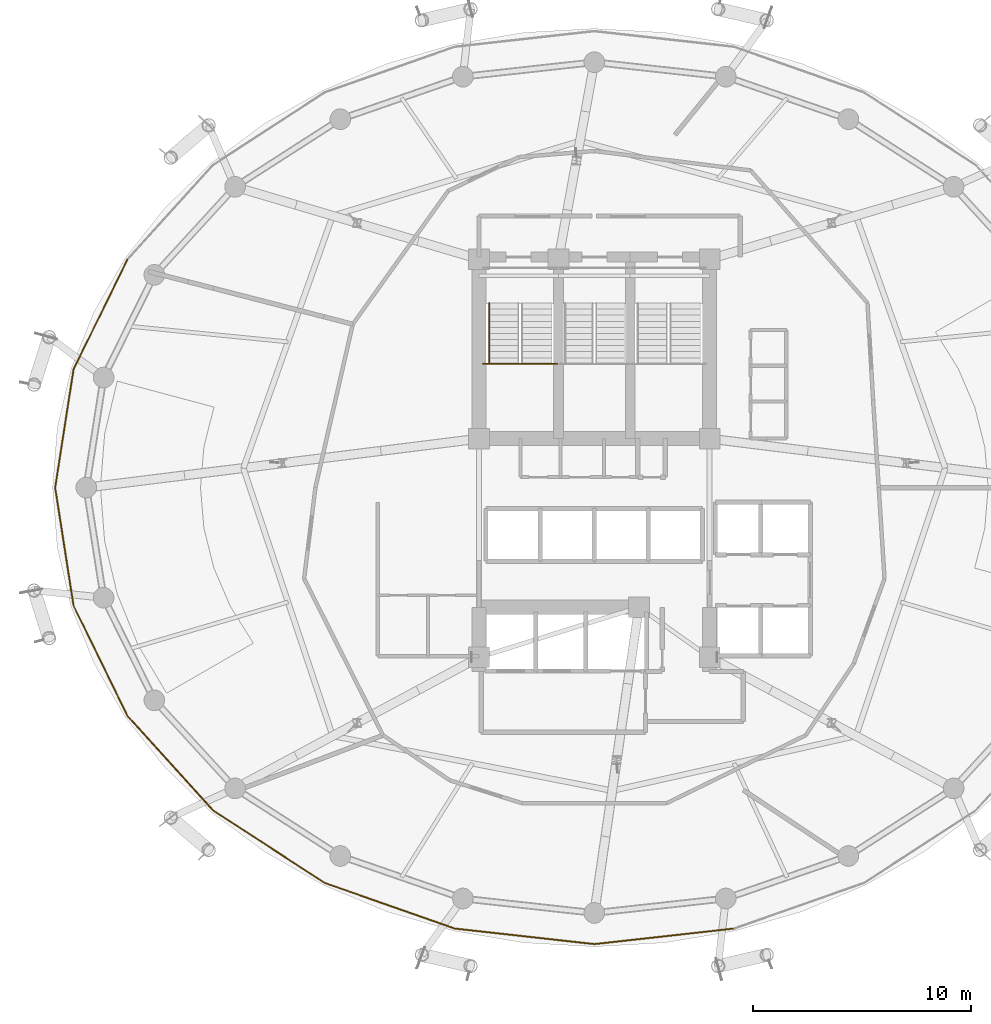
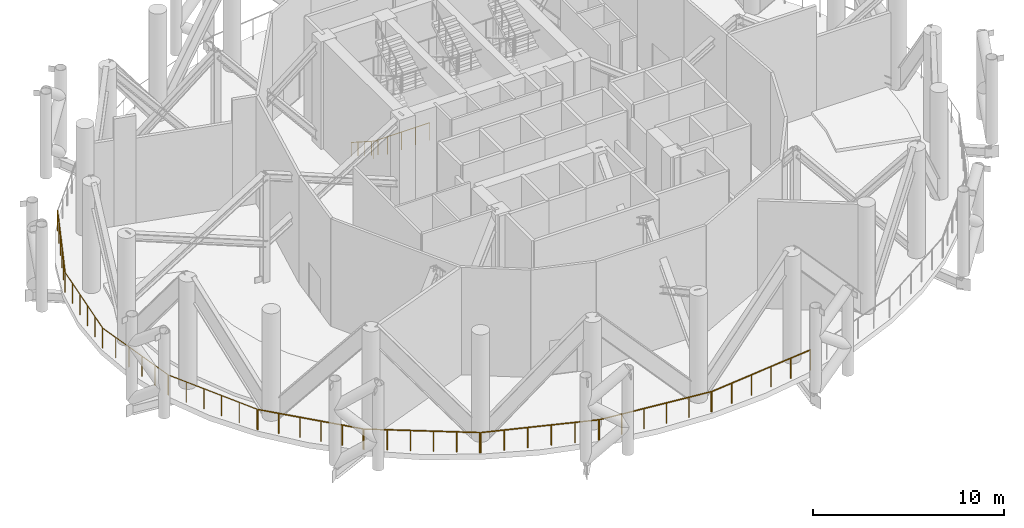
# One storey, part 14 of 18: 11 railings.
"""IFC4 building model written with IfcOpenShell, lengths in metres."""

from ifc_helpers import new_model, si_unit, direction, frame, origin, place, context, subcontext, project, spatial, polyline, outline, extrude, material, type_object, element, save


model = new_model("IFC4")

# Units and contexts
model_context = context("Model", 3, precision=1e-05, world=origin(), true_north=direction((0.0, 1.0)))
body_context = subcontext(model_context, "Body", "Model", "MODEL_VIEW")
ifc_project = project(units=[si_unit("LENGTHUNIT", "METRE"), si_unit("AREAUNIT", "SQUARE_METRE"), si_unit("VOLUMEUNIT", "CUBIC_METRE"), si_unit("PLANEANGLEUNIT", "RADIAN"), si_unit("MASSUNIT", "GRAM", prefix="KILO")], contexts=[model_context])

# Site, building, storey
site_placement = place(None, origin())
site = spatial("IfcSite", under=ifc_project, at=site_placement, CompositionType="ELEMENT")
building_placement = place(site_placement, origin())
building = spatial("IfcBuilding", under=site, at=building_placement, Name="Nuhasar Tower", CompositionType="ELEMENT")
storey_placement = place(building_placement, frame((0.0, 0.0, 195.949951171875)))
storey = spatial("IfcBuildingStorey", under=building, at=storey_placement, Name="L48", CompositionType="ELEMENT", Elevation=195.949951171875)

# Railings
ifc_material_1 = material(Name="Steel S355", Category="steel")
railing_type_1 = type_object("IfcRailingType", Name="RLG-STAIR-GUARD-1150", PredefinedType="GUARDRAIL", material=ifc_material_1)
railing_1_placement = place(storey_placement, frame((33.8798828125, 32.485107421875, 1.800048828125)))
element("IfcRailing", 1, at=railing_1_placement, inside=storey, type_object=railing_type_1, Name="L48 Stair ST-01 Guardrail LNDS1", PredefinedType="GUARDRAIL", context=body_context, shape_type="SweptSolid", body=[
    extrude(outline(polyline([(0.024169921875, 0.0), (0.01708984375, 0.01708984375), (0.0, 0.024169921875), (-0.01708984375, 0.01708984375), (-0.024169921875, 0.0), (-0.01708984375, -0.01708984375), (0.0, -0.024169921875), (0.01708984375, -0.01708984375), (0.024169921875, 0.0)])), frame((0.0, 0.0, 1.1259765625), z_axis=(1.0, 0.0, 0.0), x_axis=(0.0, 1.0, 0.0)), (0.0, 0.0, 1.0), 3.420166015625),
    extrude(outline(polyline([(0.02099609375, 0.0), (0.014892578125, 0.014892578125), (0.0, 0.02099609375), (-0.014892578125, 0.014892578125), (-0.02099609375, 0.0), (-0.014892578125, -0.014892578125), (0.0, -0.02099609375), (0.014892578125, -0.014892578125), (0.02099609375, 0.0)])), origin(), (0.0, 0.0, 1.0), 1.101806640625),
    extrude(outline(polyline([(0.02099609375, 0.0), (0.014892578125, 0.014892578125), (0.0, 0.02099609375), (-0.014892578125, 0.014892578125), (-0.02099609375, 0.0), (-0.014892578125, -0.014892578125), (0.0, -0.02099609375), (0.014892578125, -0.014892578125), (0.02099609375, 0.0)])), frame((0.85498046875, 0.0, 0.0)), (0.0, 0.0, 1.0), 1.101806640625),
    extrude(outline(polyline([(0.02099609375, 0.0), (0.014892578125, 0.014892578125), (0.0, 0.02099609375), (-0.014892578125, 0.014892578125), (-0.02099609375, 0.0), (-0.014892578125, -0.014892578125), (0.0, -0.02099609375), (0.014892578125, -0.014892578125), (0.02099609375, 0.0)])), frame((1.7099609375, 0.0, 0.0)), (0.0, 0.0, 1.0), 1.101806640625),
    extrude(outline(polyline([(0.02099609375, 0.0), (0.014892578125, 0.014892578125), (0.0, 0.02099609375), (-0.014892578125, 0.014892578125), (-0.02099609375, 0.0), (-0.014892578125, -0.014892578125), (0.0, -0.02099609375), (0.014892578125, -0.014892578125), (0.02099609375, 0.0)])), frame((2.565185546875, 0.0, 0.0)), (0.0, 0.0, 1.0), 1.101806640625),
    extrude(outline(polyline([(0.02099609375, 0.0), (0.014892578125, 0.014892578125), (0.0, 0.02099609375), (-0.014892578125, 0.014892578125), (-0.02099609375, 0.0), (-0.014892578125, -0.014892578125), (0.0, -0.02099609375), (0.014892578125, -0.014892578125), (0.02099609375, 0.0)])), frame((3.420166015625, 0.0, 0.0)), (0.0, 0.0, 1.0), 1.101806640625),
])
ifc_material_2 = material(Name="Stainless Steel 316L", Category="steel")
railing_type_2 = type_object("IfcRailingType", Name="RLG-STAIR-HAND-920", PredefinedType="HANDRAIL", material=ifc_material_2)
railing_2_placement = place(storey_placement, frame((34.169921875, 35.284912109375, 0.1640625)))
element("IfcRailing", 2, at=railing_2_placement, inside=storey, type_object=railing_type_2, Name="L48 Stair ST-01 Handrail HNDA1", PredefinedType="HANDRAIL", context=body_context, shape_type="SweptSolid", body=[
    extrude(outline(polyline([(0.024169921875, 0.0), (0.01708984375, 0.01708984375), (0.0, 0.024169921875), (-0.01708984375, 0.01708984375), (-0.024169921875, 0.0), (-0.01708984375, -0.01708984375), (0.0, -0.024169921875), (0.01708984375, -0.01708984375), (0.024169921875, 0.0)])), frame((0.0, 0.0, 0.89599609375), z_axis=(0.0, -0.841154643086, 0.54079466197), x_axis=(1.0, 0.0, 0.0)), (0.0, 0.0, 1.0), 3.32861328125),
    extrude(outline(polyline([(0.02099609375, 0.0), (0.014892578125, 0.014892578125), (0.0, 0.02099609375), (-0.014892578125, 0.014892578125), (-0.02099609375, 0.0), (-0.014892578125, -0.014892578125), (0.0, -0.02099609375), (0.014892578125, -0.014892578125), (0.02099609375, 0.0)])), origin(), (0.0, 0.0, 1.0), 0.871826171875),
    extrude(outline(polyline([(0.02099609375, 0.0), (0.014892578125, 0.014892578125), (0.0, 0.02099609375), (-0.014892578125, 0.014892578125), (-0.02099609375, 0.0), (-0.014892578125, -0.014892578125), (0.0, -0.02099609375), (0.014892578125, -0.014892578125), (0.02099609375, 0.0)])), frame((0.0, -0.699951171875, 0.449951171875)), (0.0, 0.0, 1.0), 0.871826171875),
    extrude(outline(polyline([(0.02099609375, 0.0), (0.014892578125, 0.014892578125), (0.0, 0.02099609375), (-0.014892578125, 0.014892578125), (-0.02099609375, 0.0), (-0.014892578125, -0.014892578125), (0.0, -0.02099609375), (0.014892578125, -0.014892578125), (0.02099609375, 0.0)])), frame((0.0, -1.39990234375, 0.89990234375)), (0.0, 0.0, 1.0), 0.871826171875),
    extrude(outline(polyline([(0.02099609375, 0.0), (0.014892578125, 0.014892578125), (0.0, 0.02099609375), (-0.014892578125, 0.014892578125), (-0.02099609375, 0.0), (-0.014892578125, -0.014892578125), (0.0, -0.02099609375), (0.014892578125, -0.014892578125), (0.02099609375, 0.0)])), frame((0.0, -2.099853515625, 1.35009765625)), (0.0, 0.0, 1.0), 0.871826171875),
    extrude(outline(polyline([(0.02099609375, 0.0), (0.014892578125, 0.014892578125), (0.0, 0.02099609375), (-0.014892578125, 0.014892578125), (-0.02099609375, 0.0), (-0.014892578125, -0.014892578125), (0.0, -0.02099609375), (0.014892578125, -0.014892578125), (0.02099609375, 0.0)])), frame((0.0, -2.7998046875, 1.800048828125)), (0.0, 0.0, 1.0), 0.871826171875),
])
railing_type_3 = type_object("IfcRailingType", Name="RLG-WIND-1320", PredefinedType="GUARDRAIL", material=ifc_material_2)
railing_3_placement = place(storey_placement, frame((17.5400390625, 37.2900390625, 0.0)))
element("IfcRailing", 3, at=railing_3_placement, inside=storey, type_object=railing_type_3, Name="L48 Open Wind Floor Perimeter Guardrail 11", PredefinedType="GUARDRAIL", context=body_context, shape_type="SweptSolid", body=[
    extrude(outline(polyline([(0.024169921875, 0.0), (0.01708984375, 0.01708984375), (0.0, 0.024169921875), (-0.01708984375, 0.01708984375), (-0.024169921875, 0.0), (-0.01708984375, -0.01708984375), (0.0, -0.024169921875), (0.01708984375, -0.01708984375), (0.024169921875, 0.0)])), frame((0.0, 0.0, 1.2958984375), z_axis=(-0.439479430431, -0.898252653894, 0.0), x_axis=(0.898252653894, -0.439479430431, 0.0)), (0.0, 0.0, 1.0), 5.593017578125),
    extrude(outline(polyline([(0.02099609375, 0.0), (0.014892578125, 0.014892578125), (0.0, 0.02099609375), (-0.014892578125, 0.014892578125), (-0.02099609375, 0.0), (-0.014892578125, -0.014892578125), (0.0, -0.02099609375), (0.014892578125, -0.014892578125), (0.02099609375, 0.0)])), origin(), (0.0, 0.0, 1.0), 1.27197265625),
    extrude(outline(polyline([(0.02099609375, 0.0), (0.014892578125, 0.014892578125), (0.0, 0.02099609375), (-0.014892578125, 0.014892578125), (-0.02099609375, 0.0), (-0.014892578125, -0.014892578125), (0.0, -0.02099609375), (0.014892578125, -0.014892578125), (0.02099609375, 0.0)])), frame((-0.49169921875, -1.0048828125, 0.0)), (0.0, 0.0, 1.0), 1.27197265625),
    extrude(outline(polyline([(0.02099609375, 0.0), (0.014892578125, 0.014892578125), (0.0, 0.02099609375), (-0.014892578125, 0.014892578125), (-0.02099609375, 0.0), (-0.014892578125, -0.014892578125), (0.0, -0.02099609375), (0.014892578125, -0.014892578125), (0.02099609375, 0.0)])), frame((-0.983154296875, -2.009521484375, 0.0)), (0.0, 0.0, 1.0), 1.27197265625),
    extrude(outline(polyline([(0.02099609375, 0.0), (0.014892578125, 0.014892578125), (0.0, 0.02099609375), (-0.014892578125, 0.014892578125), (-0.02099609375, 0.0), (-0.014892578125, -0.014892578125), (0.0, -0.02099609375), (0.014892578125, -0.014892578125), (0.02099609375, 0.0)])), frame((-1.474853515625, -3.014404296875, 0.0)), (0.0, 0.0, 1.0), 1.27197265625),
    extrude(outline(polyline([(0.02099609375, 0.0), (0.014892578125, 0.014892578125), (0.0, 0.02099609375), (-0.014892578125, 0.014892578125), (-0.02099609375, 0.0), (-0.014892578125, -0.014892578125), (0.0, -0.02099609375), (0.014892578125, -0.014892578125), (0.02099609375, 0.0)])), frame((-1.96630859375, -4.01904296875, 0.0)), (0.0, 0.0, 1.0), 1.27197265625),
    extrude(outline(polyline([(0.02099609375, 0.0), (0.014892578125, 0.014892578125), (0.0, 0.02099609375), (-0.014892578125, 0.014892578125), (-0.02099609375, 0.0), (-0.014892578125, -0.014892578125), (0.0, -0.02099609375), (0.014892578125, -0.014892578125), (0.02099609375, 0.0)])), frame((-2.4580078125, -5.02392578125, 0.0)), (0.0, 0.0, 1.0), 1.27197265625),
])
railing_4_placement = place(storey_placement, frame((15.06396484375, 32.22998046875, 0.0)))
element("IfcRailing", 4, at=railing_4_placement, inside=storey, type_object=railing_type_3, Name="L48 Open Wind Floor Perimeter Guardrail 12", PredefinedType="GUARDRAIL", context=body_context, shape_type="SweptSolid", body=[
    extrude(outline(polyline([(0.024169921875, 0.0), (0.01708984375, 0.01708984375), (0.0, 0.024169921875), (-0.01708984375, 0.01708984375), (-0.024169921875, 0.0), (-0.01708984375, -0.01708984375), (0.0, -0.024169921875), (0.01708984375, -0.01708984375), (0.024169921875, 0.0)])), frame((0.0, 0.0, 1.2958984375), z_axis=(-0.153610863454, -0.988131419716, 0.0), x_axis=(0.988131419716, -0.153610863454, 0.0)), (0.0, 0.0, 1.0), 5.45458984375),
    extrude(outline(polyline([(0.02099609375, 0.0), (0.014892578125, 0.014892578125), (0.0, 0.02099609375), (-0.014892578125, 0.014892578125), (-0.02099609375, 0.0), (-0.014892578125, -0.014892578125), (0.0, -0.02099609375), (0.014892578125, -0.014892578125), (0.02099609375, 0.0)])), origin(), (0.0, 0.0, 1.0), 1.27197265625),
    extrude(outline(polyline([(0.02099609375, 0.0), (0.014892578125, 0.014892578125), (0.0, 0.02099609375), (-0.014892578125, 0.014892578125), (-0.02099609375, 0.0), (-0.014892578125, -0.014892578125), (0.0, -0.02099609375), (0.014892578125, -0.014892578125), (0.02099609375, 0.0)])), frame((-0.16748046875, -1.077880859375, 0.0)), (0.0, 0.0, 1.0), 1.27197265625),
    extrude(outline(polyline([(0.02099609375, 0.0), (0.014892578125, 0.014892578125), (0.0, 0.02099609375), (-0.014892578125, 0.014892578125), (-0.02099609375, 0.0), (-0.014892578125, -0.014892578125), (0.0, -0.02099609375), (0.014892578125, -0.014892578125), (0.02099609375, 0.0)])), frame((-0.335205078125, -2.156005859375, 0.0)), (0.0, 0.0, 1.0), 1.27197265625),
    extrude(outline(polyline([(0.02099609375, 0.0), (0.014892578125, 0.014892578125), (0.0, 0.02099609375), (-0.014892578125, 0.014892578125), (-0.02099609375, 0.0), (-0.014892578125, -0.014892578125), (0.0, -0.02099609375), (0.014892578125, -0.014892578125), (0.02099609375, 0.0)])), frame((-0.502685546875, -3.23388671875, 0.0)), (0.0, 0.0, 1.0), 1.27197265625),
    extrude(outline(polyline([(0.02099609375, 0.0), (0.014892578125, 0.014892578125), (0.0, 0.02099609375), (-0.014892578125, 0.014892578125), (-0.02099609375, 0.0), (-0.014892578125, -0.014892578125), (0.0, -0.02099609375), (0.014892578125, -0.014892578125), (0.02099609375, 0.0)])), frame((-0.67041015625, -4.31201171875, 0.0)), (0.0, 0.0, 1.0), 1.27197265625),
    extrude(outline(polyline([(0.02099609375, 0.0), (0.014892578125, 0.014892578125), (0.0, 0.02099609375), (-0.014892578125, 0.014892578125), (-0.02099609375, 0.0), (-0.014892578125, -0.014892578125), (0.0, -0.02099609375), (0.014892578125, -0.014892578125), (0.02099609375, 0.0)])), frame((-0.837890625, -5.389892578125, 0.0)), (0.0, 0.0, 1.0), 1.27197265625),
])
railing_5_placement = place(storey_placement, frame((14.219970703125, 26.800048828125, 0.0)))
element("IfcRailing", 5, at=railing_5_placement, inside=storey, type_object=railing_type_3, Name="L48 Open Wind Floor Perimeter Guardrail 13", PredefinedType="GUARDRAIL", context=body_context, shape_type="SweptSolid", body=[
    extrude(outline(polyline([(0.024169921875, 0.0), (0.01708984375, 0.01708984375), (0.0, 0.024169921875), (-0.01708984375, 0.01708984375), (-0.024169921875, 0.0), (-0.01708984375, -0.01708984375), (0.0, -0.024169921875), (0.01708984375, -0.01708984375), (0.024169921875, 0.0)])), frame((0.0, 0.0, 1.2958984375), z_axis=(0.153647769961, -0.988125681675, 0.0), x_axis=(0.988125681675, 0.153647769961, 0.0)), (0.0, 0.0, 1.0), 5.454833984375),
    extrude(outline(polyline([(0.02099609375, 0.0), (0.014892578125, 0.014892578125), (0.0, 0.02099609375), (-0.014892578125, 0.014892578125), (-0.02099609375, 0.0), (-0.014892578125, -0.014892578125), (0.0, -0.02099609375), (0.014892578125, -0.014892578125), (0.02099609375, 0.0)])), origin(), (0.0, 0.0, 1.0), 1.27197265625),
    extrude(outline(polyline([(0.02099609375, 0.0), (0.014892578125, 0.014892578125), (0.0, 0.02099609375), (-0.014892578125, 0.014892578125), (-0.02099609375, 0.0), (-0.014892578125, -0.014892578125), (0.0, -0.02099609375), (0.014892578125, -0.014892578125), (0.02099609375, 0.0)])), frame((0.167724609375, -1.078125, 0.0)), (0.0, 0.0, 1.0), 1.27197265625),
    extrude(outline(polyline([(0.02099609375, 0.0), (0.014892578125, 0.014892578125), (0.0, 0.02099609375), (-0.014892578125, 0.014892578125), (-0.02099609375, 0.0), (-0.014892578125, -0.014892578125), (0.0, -0.02099609375), (0.014892578125, -0.014892578125), (0.02099609375, 0.0)])), frame((0.335205078125, -2.156005859375, 0.0)), (0.0, 0.0, 1.0), 1.27197265625),
    extrude(outline(polyline([(0.02099609375, 0.0), (0.014892578125, 0.014892578125), (0.0, 0.02099609375), (-0.014892578125, 0.014892578125), (-0.02099609375, 0.0), (-0.014892578125, -0.014892578125), (0.0, -0.02099609375), (0.014892578125, -0.014892578125), (0.02099609375, 0.0)])), frame((0.5029296875, -3.234130859375, 0.0)), (0.0, 0.0, 1.0), 1.27197265625),
    extrude(outline(polyline([(0.02099609375, 0.0), (0.014892578125, 0.014892578125), (0.0, 0.02099609375), (-0.014892578125, 0.014892578125), (-0.02099609375, 0.0), (-0.014892578125, -0.014892578125), (0.0, -0.02099609375), (0.014892578125, -0.014892578125), (0.02099609375, 0.0)])), frame((0.67041015625, -4.31201171875, 0.0)), (0.0, 0.0, 1.0), 1.27197265625),
    extrude(outline(polyline([(0.02099609375, 0.0), (0.014892578125, 0.014892578125), (0.0, 0.02099609375), (-0.014892578125, 0.014892578125), (-0.02099609375, 0.0), (-0.014892578125, -0.014892578125), (0.0, -0.02099609375), (0.014892578125, -0.014892578125), (0.02099609375, 0.0)])), frame((0.838134765625, -5.39013671875, 0.0)), (0.0, 0.0, 1.0), 1.27197265625),
])
railing_6_placement = place(storey_placement, frame((15.06396484375, 21.3701171875, 0.0)))
element("IfcRailing", 6, at=railing_6_placement, inside=storey, type_object=railing_type_3, Name="L48 Open Wind Floor Perimeter Guardrail 14", PredefinedType="GUARDRAIL", context=body_context, shape_type="SweptSolid", body=[
    extrude(outline(polyline([(0.024169921875, 0.0), (0.01708984375, 0.01708984375), (0.0, 0.024169921875), (-0.01708984375, 0.01708984375), (-0.024169921875, 0.0), (-0.01708984375, -0.01708984375), (0.0, -0.024169921875), (0.01708984375, -0.01708984375), (0.024169921875, 0.0)])), frame((0.0, 0.0, 1.2958984375), z_axis=(0.439462199156, -0.89826108427, 0.0), x_axis=(0.89826108427, 0.439462199156, 0.0)), (0.0, 0.0, 1.0), 5.59326171875),
    extrude(outline(polyline([(0.02099609375, 0.0), (0.014892578125, 0.014892578125), (0.0, 0.02099609375), (-0.014892578125, 0.014892578125), (-0.02099609375, 0.0), (-0.014892578125, -0.014892578125), (0.0, -0.02099609375), (0.014892578125, -0.014892578125), (0.02099609375, 0.0)])), origin(), (0.0, 0.0, 1.0), 1.27197265625),
    extrude(outline(polyline([(0.02099609375, 0.0), (0.014892578125, 0.014892578125), (0.0, 0.02099609375), (-0.014892578125, 0.014892578125), (-0.02099609375, 0.0), (-0.014892578125, -0.014892578125), (0.0, -0.02099609375), (0.014892578125, -0.014892578125), (0.02099609375, 0.0)])), frame((0.49169921875, -1.0048828125, 0.0)), (0.0, 0.0, 1.0), 1.27197265625),
    extrude(outline(polyline([(0.02099609375, 0.0), (0.014892578125, 0.014892578125), (0.0, 0.02099609375), (-0.014892578125, 0.014892578125), (-0.02099609375, 0.0), (-0.014892578125, -0.014892578125), (0.0, -0.02099609375), (0.014892578125, -0.014892578125), (0.02099609375, 0.0)])), frame((0.983154296875, -2.009765625, 0.0)), (0.0, 0.0, 1.0), 1.27197265625),
    extrude(outline(polyline([(0.02099609375, 0.0), (0.014892578125, 0.014892578125), (0.0, 0.02099609375), (-0.014892578125, 0.014892578125), (-0.02099609375, 0.0), (-0.014892578125, -0.014892578125), (0.0, -0.02099609375), (0.014892578125, -0.014892578125), (0.02099609375, 0.0)])), frame((1.474853515625, -3.014404296875, 0.0)), (0.0, 0.0, 1.0), 1.27197265625),
    extrude(outline(polyline([(0.02099609375, 0.0), (0.014892578125, 0.014892578125), (0.0, 0.02099609375), (-0.014892578125, 0.014892578125), (-0.02099609375, 0.0), (-0.014892578125, -0.014892578125), (0.0, -0.02099609375), (0.014892578125, -0.014892578125), (0.02099609375, 0.0)])), frame((1.96630859375, -4.019287109375, 0.0)), (0.0, 0.0, 1.0), 1.27197265625),
    extrude(outline(polyline([(0.02099609375, 0.0), (0.014892578125, 0.014892578125), (0.0, 0.02099609375), (-0.014892578125, 0.014892578125), (-0.02099609375, 0.0), (-0.014892578125, -0.014892578125), (0.0, -0.02099609375), (0.014892578125, -0.014892578125), (0.02099609375, 0.0)])), frame((2.4580078125, -5.024169921875, 0.0)), (0.0, 0.0, 1.0), 1.27197265625),
])
railing_7_placement = place(storey_placement, frame((17.5400390625, 16.31005859375, 0.0)))
element("IfcRailing", 7, at=railing_7_placement, inside=storey, type_object=railing_type_3, Name="L48 Open Wind Floor Perimeter Guardrail 15", PredefinedType="GUARDRAIL", context=body_context, shape_type="SweptSolid", body=[
    extrude(outline(polyline([(0.024169921875, 0.0), (0.01708984375, 0.01708984375), (0.0, 0.024169921875), (-0.01708984375, 0.01708984375), (-0.024169921875, 0.0), (-0.01708984375, -0.01708984375), (0.0, -0.024169921875), (0.01708984375, -0.01708984375), (0.024169921875, 0.0)])), frame((0.0, 0.0, 1.2958984375), z_axis=(0.671564021468, -0.740946533206, 0.0), x_axis=(0.740946533206, 0.671564021468, 0.0)), (0.0, 0.0, 1.0), 5.823486328125),
    extrude(outline(polyline([(0.02099609375, 0.0), (0.014892578125, 0.014892578125), (0.0, 0.02099609375), (-0.014892578125, 0.014892578125), (-0.02099609375, 0.0), (-0.014892578125, -0.014892578125), (0.0, -0.02099609375), (0.014892578125, -0.014892578125), (0.02099609375, 0.0)])), origin(), (0.0, 0.0, 1.0), 1.27197265625),
    extrude(outline(polyline([(0.02099609375, 0.0), (0.014892578125, 0.014892578125), (0.0, 0.02099609375), (-0.014892578125, 0.014892578125), (-0.02099609375, 0.0), (-0.014892578125, -0.014892578125), (0.0, -0.02099609375), (0.014892578125, -0.014892578125), (0.02099609375, 0.0)])), frame((0.7822265625, -0.863037109375, 0.0)), (0.0, 0.0, 1.0), 1.27197265625),
    extrude(outline(polyline([(0.02099609375, 0.0), (0.014892578125, 0.014892578125), (0.0, 0.02099609375), (-0.014892578125, 0.014892578125), (-0.02099609375, 0.0), (-0.014892578125, -0.014892578125), (0.0, -0.02099609375), (0.014892578125, -0.014892578125), (0.02099609375, 0.0)])), frame((1.564453125, -1.72607421875, 0.0)), (0.0, 0.0, 1.0), 1.27197265625),
    extrude(outline(polyline([(0.02099609375, 0.0), (0.014892578125, 0.014892578125), (0.0, 0.02099609375), (-0.014892578125, 0.014892578125), (-0.02099609375, 0.0), (-0.014892578125, -0.014892578125), (0.0, -0.02099609375), (0.014892578125, -0.014892578125), (0.02099609375, 0.0)])), frame((2.346435546875, -2.5888671875, 0.0)), (0.0, 0.0, 1.0), 1.27197265625),
    extrude(outline(polyline([(0.02099609375, 0.0), (0.014892578125, 0.014892578125), (0.0, 0.02099609375), (-0.014892578125, 0.014892578125), (-0.02099609375, 0.0), (-0.014892578125, -0.014892578125), (0.0, -0.02099609375), (0.014892578125, -0.014892578125), (0.02099609375, 0.0)])), frame((3.128662109375, -3.451904296875, 0.0)), (0.0, 0.0, 1.0), 1.27197265625),
    extrude(outline(polyline([(0.02099609375, 0.0), (0.014892578125, 0.014892578125), (0.0, 0.02099609375), (-0.014892578125, 0.014892578125), (-0.02099609375, 0.0), (-0.014892578125, -0.014892578125), (0.0, -0.02099609375), (0.014892578125, -0.014892578125), (0.02099609375, 0.0)])), frame((3.910888671875, -4.31494140625, 0.0)), (0.0, 0.0, 1.0), 1.27197265625),
])
railing_8_placement = place(storey_placement, frame((21.47802734375, 11.965087890625, 0.0)))
element("IfcRailing", 8, at=railing_8_placement, inside=storey, type_object=railing_type_3, Name="L48 Open Wind Floor Perimeter Guardrail 16", PredefinedType="GUARDRAIL", context=body_context, shape_type="SweptSolid", body=[
    extrude(outline(polyline([(0.024169921875, 0.0), (0.01708984375, 0.01708984375), (0.0, 0.024169921875), (-0.01708984375, 0.01708984375), (-0.024169921875, 0.0), (-0.01708984375, -0.01708984375), (0.0, -0.024169921875), (0.01708984375, -0.01708984375), (0.024169921875, 0.0)])), frame((0.0, 0.0, 1.2958984375), z_axis=(0.83856562581, -0.54480059766, 0.0), x_axis=(0.54480059766, 0.83856562581, 0.0)), (0.0, 0.0, 1.0), 6.079345703125),
    extrude(outline(polyline([(0.02099609375, 0.0), (0.014892578125, 0.014892578125), (0.0, 0.02099609375), (-0.014892578125, 0.014892578125), (-0.02099609375, 0.0), (-0.014892578125, -0.014892578125), (0.0, -0.02099609375), (0.014892578125, -0.014892578125), (0.02099609375, 0.0)])), origin(), (0.0, 0.0, 1.0), 1.27197265625),
    extrude(outline(polyline([(0.02099609375, 0.0), (0.014892578125, 0.014892578125), (0.0, 0.02099609375), (-0.014892578125, 0.014892578125), (-0.02099609375, 0.0), (-0.014892578125, -0.014892578125), (0.0, -0.02099609375), (0.014892578125, -0.014892578125), (0.02099609375, 0.0)])), frame((1.01953125, -0.662353515625, 0.0)), (0.0, 0.0, 1.0), 1.27197265625),
    extrude(outline(polyline([(0.02099609375, 0.0), (0.014892578125, 0.014892578125), (0.0, 0.02099609375), (-0.014892578125, 0.014892578125), (-0.02099609375, 0.0), (-0.014892578125, -0.014892578125), (0.0, -0.02099609375), (0.014892578125, -0.014892578125), (0.02099609375, 0.0)])), frame((2.0390625, -1.32470703125, 0.0)), (0.0, 0.0, 1.0), 1.27197265625),
    extrude(outline(polyline([(0.02099609375, 0.0), (0.014892578125, 0.014892578125), (0.0, 0.02099609375), (-0.014892578125, 0.014892578125), (-0.02099609375, 0.0), (-0.014892578125, -0.014892578125), (0.0, -0.02099609375), (0.014892578125, -0.014892578125), (0.02099609375, 0.0)])), frame((3.058837890625, -1.9873046875, 0.0)), (0.0, 0.0, 1.0), 1.27197265625),
    extrude(outline(polyline([(0.02099609375, 0.0), (0.014892578125, 0.014892578125), (0.0, 0.02099609375), (-0.014892578125, 0.014892578125), (-0.02099609375, 0.0), (-0.014892578125, -0.014892578125), (0.0, -0.02099609375), (0.014892578125, -0.014892578125), (0.02099609375, 0.0)])), frame((4.078369140625, -2.649658203125, 0.0)), (0.0, 0.0, 1.0), 1.27197265625),
    extrude(outline(polyline([(0.02099609375, 0.0), (0.014892578125, 0.014892578125), (0.0, 0.02099609375), (-0.014892578125, 0.014892578125), (-0.02099609375, 0.0), (-0.014892578125, -0.014892578125), (0.0, -0.02099609375), (0.014892578125, -0.014892578125), (0.02099609375, 0.0)])), frame((5.097900390625, -3.31201171875, 0.0)), (0.0, 0.0, 1.0), 1.27197265625),
])
railing_9_placement = place(storey_placement, frame((26.610107421875, 8.631103515625, 0.0)))
element("IfcRailing", 9, at=railing_9_placement, inside=storey, type_object=railing_type_3, Name="L48 Open Wind Floor Perimeter Guardrail 17", PredefinedType="GUARDRAIL", context=body_context, shape_type="SweptSolid", body=[
    extrude(outline(polyline([(0.024169921875, 0.0), (0.01708984375, 0.01708984375), (0.0, 0.024169921875), (-0.01708984375, 0.01708984375), (-0.024169921875, 0.0), (-0.01708984375, -0.01708984375), (0.0, -0.024169921875), (0.01708984375, -0.01708984375), (0.024169921875, 0.0)])), frame((0.0, 0.0, 1.2958984375), z_axis=(0.943624646388, -0.33101741152, 0.0), x_axis=(0.33101741152, 0.943624646388, 0.0)), (0.0, 0.0, 1.0), 6.292724609375),
    extrude(outline(polyline([(0.02099609375, 0.0), (0.014892578125, 0.014892578125), (0.0, 0.02099609375), (-0.014892578125, 0.014892578125), (-0.02099609375, 0.0), (-0.014892578125, -0.014892578125), (0.0, -0.02099609375), (0.014892578125, -0.014892578125), (0.02099609375, 0.0)])), origin(), (0.0, 0.0, 1.0), 1.27197265625),
    extrude(outline(polyline([(0.02099609375, 0.0), (0.014892578125, 0.014892578125), (0.0, 0.02099609375), (-0.014892578125, 0.014892578125), (-0.02099609375, 0.0), (-0.014892578125, -0.014892578125), (0.0, -0.02099609375), (0.014892578125, -0.014892578125), (0.02099609375, 0.0)])), frame((1.1875, -0.41650390625, 0.0)), (0.0, 0.0, 1.0), 1.27197265625),
    extrude(outline(polyline([(0.02099609375, 0.0), (0.014892578125, 0.014892578125), (0.0, 0.02099609375), (-0.014892578125, 0.014892578125), (-0.02099609375, 0.0), (-0.014892578125, -0.014892578125), (0.0, -0.02099609375), (0.014892578125, -0.014892578125), (0.02099609375, 0.0)])), frame((2.375244140625, -0.833251953125, 0.0)), (0.0, 0.0, 1.0), 1.27197265625),
    extrude(outline(polyline([(0.02099609375, 0.0), (0.014892578125, 0.014892578125), (0.0, 0.02099609375), (-0.014892578125, 0.014892578125), (-0.02099609375, 0.0), (-0.014892578125, -0.014892578125), (0.0, -0.02099609375), (0.014892578125, -0.014892578125), (0.02099609375, 0.0)])), frame((3.562744140625, -1.249755859375, 0.0)), (0.0, 0.0, 1.0), 1.27197265625),
    extrude(outline(polyline([(0.02099609375, 0.0), (0.014892578125, 0.014892578125), (0.0, 0.02099609375), (-0.014892578125, 0.014892578125), (-0.02099609375, 0.0), (-0.014892578125, -0.014892578125), (0.0, -0.02099609375), (0.014892578125, -0.014892578125), (0.02099609375, 0.0)])), frame((4.75048828125, -1.66650390625, 0.0)), (0.0, 0.0, 1.0), 1.27197265625),
    extrude(outline(polyline([(0.02099609375, 0.0), (0.014892578125, 0.014892578125), (0.0, 0.02099609375), (-0.014892578125, 0.014892578125), (-0.02099609375, 0.0), (-0.014892578125, -0.014892578125), (0.0, -0.02099609375), (0.014892578125, -0.014892578125), (0.02099609375, 0.0)])), frame((5.93798828125, -2.0830078125, 0.0)), (0.0, 0.0, 1.0), 1.27197265625),
])
railing_10_placement = place(storey_placement, frame((32.5859375, 6.534912109375, 0.0)))
element("IfcRailing", 10, at=railing_10_placement, inside=storey, type_object=railing_type_3, Name="L48 Open Wind Floor Perimeter Guardrail 18", PredefinedType="GUARDRAIL", context=body_context, shape_type="SweptSolid", body=[
    extrude(outline(polyline([(0.024169921875, 0.0), (0.01708984375, 0.01708984375), (0.0, 0.024169921875), (-0.01708984375, 0.01708984375), (-0.024169921875, 0.0), (-0.01708984375, -0.01708984375), (0.0, -0.024169921875), (0.01708984375, -0.01708984375), (0.024169921875, 0.0)])), frame((0.0, 0.0, 1.2958984375), z_axis=(0.993837224435, -0.110849318123, 0.0), x_axis=(0.110849318123, 0.993837224435, 0.0)), (0.0, 0.0, 1.0), 6.41357421875),
    extrude(outline(polyline([(0.02099609375, 0.0), (0.014892578125, 0.014892578125), (0.0, 0.02099609375), (-0.014892578125, 0.014892578125), (-0.02099609375, 0.0), (-0.014892578125, -0.014892578125), (0.0, -0.02099609375), (0.014892578125, -0.014892578125), (0.02099609375, 0.0)])), origin(), (0.0, 0.0, 1.0), 1.27197265625),
    extrude(outline(polyline([(0.02099609375, 0.0), (0.014892578125, 0.014892578125), (0.0, 0.02099609375), (-0.014892578125, 0.014892578125), (-0.02099609375, 0.0), (-0.014892578125, -0.014892578125), (0.0, -0.02099609375), (0.014892578125, -0.014892578125), (0.02099609375, 0.0)])), frame((1.27490234375, -0.14208984375, 0.0)), (0.0, 0.0, 1.0), 1.27197265625),
    extrude(outline(polyline([(0.02099609375, 0.0), (0.014892578125, 0.014892578125), (0.0, 0.02099609375), (-0.014892578125, 0.014892578125), (-0.02099609375, 0.0), (-0.014892578125, -0.014892578125), (0.0, -0.02099609375), (0.014892578125, -0.014892578125), (0.02099609375, 0.0)])), frame((2.549560546875, -0.284423828125, 0.0)), (0.0, 0.0, 1.0), 1.27197265625),
    extrude(outline(polyline([(0.02099609375, 0.0), (0.014892578125, 0.014892578125), (0.0, 0.02099609375), (-0.014892578125, 0.014892578125), (-0.02099609375, 0.0), (-0.014892578125, -0.014892578125), (0.0, -0.02099609375), (0.014892578125, -0.014892578125), (0.02099609375, 0.0)])), frame((3.824462890625, -0.426513671875, 0.0)), (0.0, 0.0, 1.0), 1.27197265625),
    extrude(outline(polyline([(0.02099609375, 0.0), (0.014892578125, 0.014892578125), (0.0, 0.02099609375), (-0.014892578125, 0.014892578125), (-0.02099609375, 0.0), (-0.014892578125, -0.014892578125), (0.0, -0.02099609375), (0.014892578125, -0.014892578125), (0.02099609375, 0.0)])), frame((5.09912109375, -0.56884765625, 0.0)), (0.0, 0.0, 1.0), 1.27197265625),
    extrude(outline(polyline([(0.02099609375, 0.0), (0.014892578125, 0.014892578125), (0.0, 0.02099609375), (-0.014892578125, 0.014892578125), (-0.02099609375, 0.0), (-0.014892578125, -0.014892578125), (0.0, -0.02099609375), (0.014892578125, -0.014892578125), (0.02099609375, 0.0)])), frame((6.3740234375, -0.7109375, 0.0)), (0.0, 0.0, 1.0), 1.27197265625),
])
railing_11_placement = place(storey_placement, frame((39.0, 5.820068359375, 0.0)))
element("IfcRailing", 11, at=railing_11_placement, inside=storey, type_object=railing_type_3, Name="L48 Open Wind Floor Perimeter Guardrail 19", PredefinedType="GUARDRAIL", context=body_context, shape_type="SweptSolid", body=[
    extrude(outline(polyline([(0.024169921875, 0.0), (0.01708984375, 0.01708984375), (0.0, 0.024169921875), (-0.01708984375, 0.01708984375), (-0.024169921875, 0.0), (-0.01708984375, -0.01708984375), (0.0, -0.024169921875), (0.01708984375, -0.01708984375), (0.024169921875, 0.0)])), frame((0.0, 0.0, 1.2958984375), z_axis=(0.993837224435, 0.110849318123, 0.0), x_axis=(-0.110849318123, 0.993837224435, 0.0)), (0.0, 0.0, 1.0), 6.41357421875),
    extrude(outline(polyline([(0.02099609375, 0.0), (0.014892578125, 0.014892578125), (0.0, 0.02099609375), (-0.014892578125, 0.014892578125), (-0.02099609375, 0.0), (-0.014892578125, -0.014892578125), (0.0, -0.02099609375), (0.014892578125, -0.014892578125), (0.02099609375, 0.0)])), origin(), (0.0, 0.0, 1.0), 1.27197265625),
    extrude(outline(polyline([(0.02099609375, 0.0), (0.014892578125, 0.014892578125), (0.0, 0.02099609375), (-0.014892578125, 0.014892578125), (-0.02099609375, 0.0), (-0.014892578125, -0.014892578125), (0.0, -0.02099609375), (0.014892578125, -0.014892578125), (0.02099609375, 0.0)])), frame((1.27490234375, 0.14208984375, 0.0)), (0.0, 0.0, 1.0), 1.27197265625),
    extrude(outline(polyline([(0.02099609375, 0.0), (0.014892578125, 0.014892578125), (0.0, 0.02099609375), (-0.014892578125, 0.014892578125), (-0.02099609375, 0.0), (-0.014892578125, -0.014892578125), (0.0, -0.02099609375), (0.014892578125, -0.014892578125), (0.02099609375, 0.0)])), frame((2.549560546875, 0.284423828125, 0.0)), (0.0, 0.0, 1.0), 1.27197265625),
    extrude(outline(polyline([(0.02099609375, 0.0), (0.014892578125, 0.014892578125), (0.0, 0.02099609375), (-0.014892578125, 0.014892578125), (-0.02099609375, 0.0), (-0.014892578125, -0.014892578125), (0.0, -0.02099609375), (0.014892578125, -0.014892578125), (0.02099609375, 0.0)])), frame((3.824462890625, 0.426513671875, 0.0)), (0.0, 0.0, 1.0), 1.27197265625),
    extrude(outline(polyline([(0.02099609375, 0.0), (0.014892578125, 0.014892578125), (0.0, 0.02099609375), (-0.014892578125, 0.014892578125), (-0.02099609375, 0.0), (-0.014892578125, -0.014892578125), (0.0, -0.02099609375), (0.014892578125, -0.014892578125), (0.02099609375, 0.0)])), frame((5.09912109375, 0.56884765625, 0.0)), (0.0, 0.0, 1.0), 1.27197265625),
    extrude(outline(polyline([(0.02099609375, 0.0), (0.014892578125, 0.014892578125), (0.0, 0.02099609375), (-0.014892578125, 0.014892578125), (-0.02099609375, 0.0), (-0.014892578125, -0.014892578125), (0.0, -0.02099609375), (0.014892578125, -0.014892578125), (0.02099609375, 0.0)])), frame((6.3740234375, 0.7109375, 0.0)), (0.0, 0.0, 1.0), 1.27197265625),
])

save(model, "model.ifc")
